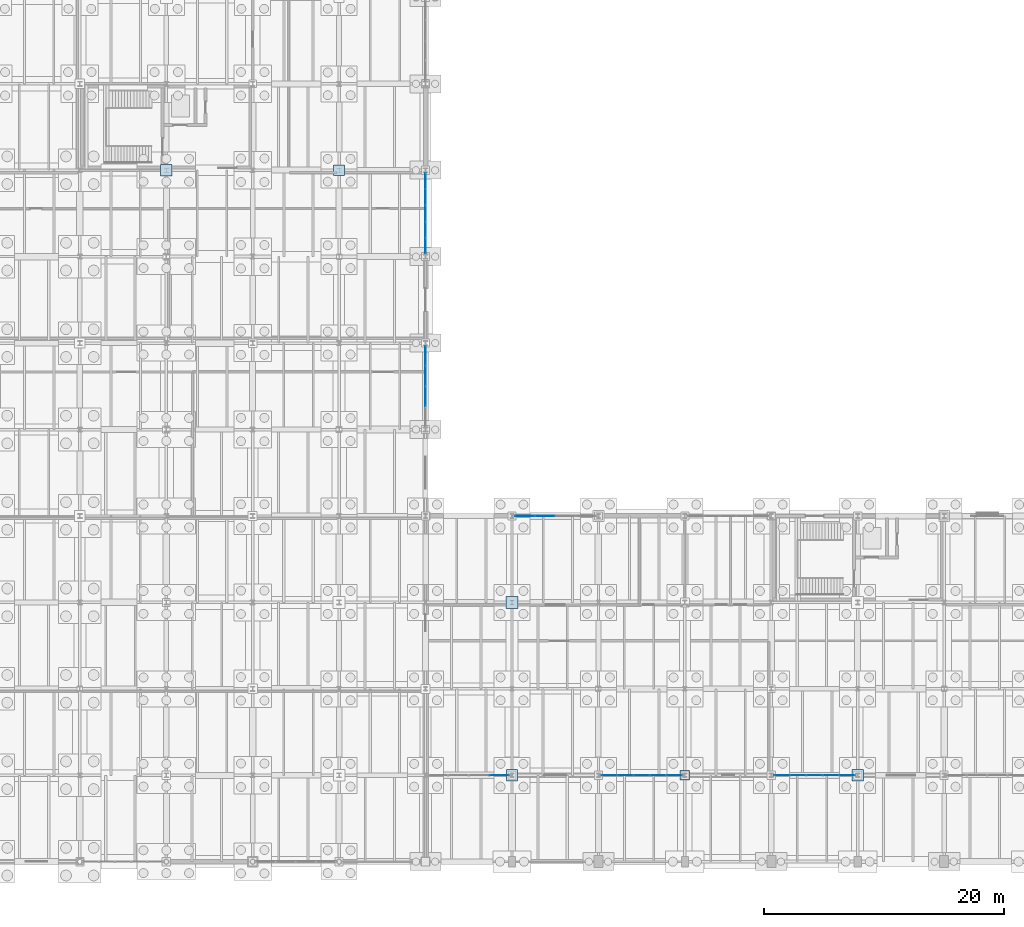
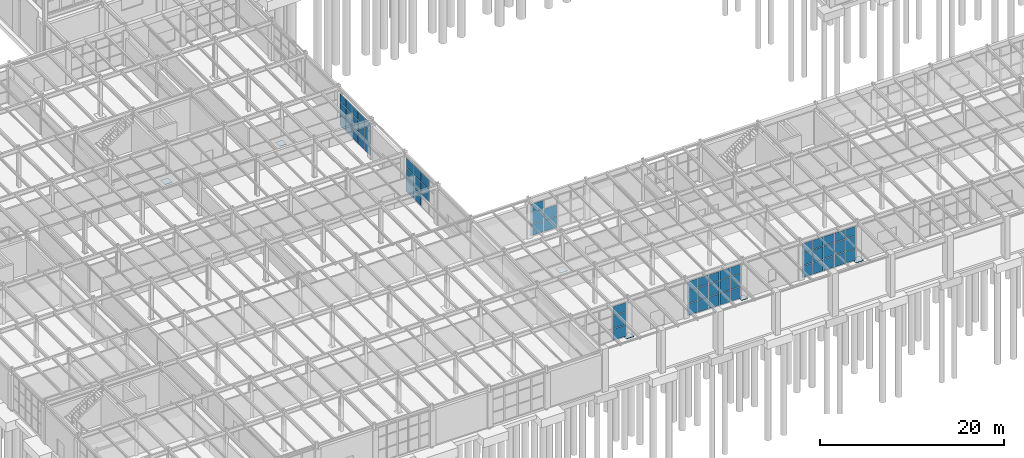
# One storey, part 234 of 293: 67 plates, 6 elements without a shape of their own.
"""IFC4 building model written with IfcOpenShell, lengths in metres."""

import ifcopenshell
import ifcopenshell.guid

model = None  # the IFC model being written
_history = None  # IfcOwnerHistory: only IFC2X3 demands one
_inside = {}  # id of a spatial element -> (the spatial element, [elements in it])
_under = {}  # id of a project, library or spatial element -> (it, [spatial elements below it])
_declared = {}  # id of a project -> (the project, [libraries it declares])
_typed = {}  # id of a type object -> (the type object, [elements of that type])
_made_of = {}  # id of a material, layer set ... -> (it, [elements and type objects made of it])


def new_model(schema):
    """Start an empty IFC model of exactly this schema.

    Asked for "IFC4X3", IfcOpenShell would pick the latest addendum, in which some entities
    have other attributes; the version numbers below select the first issue.
    IFC2X3 requires an IfcOwnerHistory on every rooted entity: one is made here for all.
    """
    global model, _history
    if schema == "IFC4X3":
        model = ifcopenshell.file(schema_version=(4, 3, 0, 0))
    else:
        model = ifcopenshell.file(schema=schema)
    _inside.clear()
    _under.clear()
    _declared.clear()
    _typed.clear()
    _made_of.clear()
    _history = None
    if model.schema == "IFC2X3":
        org = make("IfcOrganization", Name="unknown")
        user = make(
            "IfcPersonAndOrganization",
            ThePerson=make("IfcPerson", FamilyName="unknown"),
            TheOrganization=org,
        )
        app = make(
            "IfcApplication",
            ApplicationDeveloper=org,
            Version="unknown",
            ApplicationFullName="unknown",
            ApplicationIdentifier="unknown",
        )
        _history = make(
            "IfcOwnerHistory",
            OwningUser=user,
            OwningApplication=app,
            ChangeAction="ADDED",
            CreationDate=0,
        )
    return model


def make(cls, **values):
    """One entity of the class cls with the attributes given. An attribute that is None is left unset."""
    return model.create_entity(
        cls, **{name: value for name, value in values.items() if value is not None}
    )


def rooted(cls, **values):
    """An entity with a GlobalId (a new one), such as an element, a storey or a relation."""
    return make(cls, GlobalId=ifcopenshell.guid.new(), OwnerHistory=_history, **values)


def si_unit(unit_type, name, prefix=None):
    """IfcSIUnit, for example si_unit("LENGTHUNIT", "METRE", prefix="MILLI")."""
    return make("IfcSIUnit", UnitType=unit_type, Prefix=prefix, Name=name)


def assignment(units):
    """IfcUnitAssignment: the units of a project."""
    return None if units is None else make("IfcUnitAssignment", Units=units)


def point(xyz):
    """IfcCartesianPoint."""
    return None if xyz is None else make("IfcCartesianPoint", Coordinates=xyz)


def direction(xyz):
    """IfcDirection."""
    return None if xyz is None else make("IfcDirection", DirectionRatios=xyz)


def frame(location, z_axis=None, x_axis=None):
    """IfcAxis2Placement3D, a coordinate frame: its origin and axes. An axis left out is left unset."""
    return make(
        "IfcAxis2Placement3D",
        Location=point(location),
        Axis=direction(z_axis),
        RefDirection=direction(x_axis),
    )


def frame_2d(location, x_axis=None):
    """IfcAxis2Placement2D, a coordinate frame in the plane: its origin and x axis."""
    return make(
        "IfcAxis2Placement2D", Location=point(location), RefDirection=direction(x_axis)
    )


def origin():
    """The frame at (0, 0, 0) with its axes left unset."""
    return frame((0.0, 0.0, 0.0))


def origin_2d():
    """The frame at (0, 0) in the plane with its x axis left unset."""
    return frame_2d((0.0, 0.0))


def place(relative_to, where):
    """IfcLocalPlacement: puts the frame where relative to a parent placement (None: the world)."""
    return make(
        "IfcLocalPlacement", PlacementRelTo=relative_to, RelativePlacement=where
    )


def context(
    kind, dimensions, precision=None, world=None, true_north=None, identifier=None
):
    """IfcGeometricRepresentationContext, for example the 3D "Model" context."""
    return make(
        "IfcGeometricRepresentationContext",
        ContextIdentifier=identifier,
        ContextType=kind,
        CoordinateSpaceDimension=dimensions,
        Precision=precision,
        WorldCoordinateSystem=world,
        TrueNorth=true_north,
    )


def subcontext(parent, identifier, kind, view, scale=None):
    """IfcGeometricRepresentationSubContext, for example "Body" below "Model"."""
    return make(
        "IfcGeometricRepresentationSubContext",
        ContextIdentifier=identifier,
        ContextType=kind,
        ParentContext=parent,
        TargetScale=scale,
        TargetView=view,
    )


def project(units=None, contexts=None):
    """IfcProject with its units and contexts."""
    return rooted(
        "IfcProject",
        Name="project",
        RepresentationContexts=contexts,
        UnitsInContext=assignment(units),
    )


def spatial(cls, under=None, at=None, **own):
    """A site, building, storey or space (cls), placed at a placement, below another one or the project."""
    s = rooted(cls, ObjectPlacement=at, **own)
    if under is not None:
        _under.setdefault(under.id(), (under, []))[1].append(s)
    return s


def profile(cls, at=None, kind="AREA", **sizes):
    """A parametric profile (cls). Its sizes go by their IFC names, for example OverallWidth=200.0."""
    return make(cls, ProfileType=kind, Position=at, **sizes)


def rectangle(**sizes):
    """IfcRectangleProfileDef."""
    return profile("IfcRectangleProfileDef", **sizes)


def extrude(swept, where, along, depth):
    """IfcExtrudedAreaSolid: the profile swept, set in the frame where, extruded along a direction by depth."""
    return make(
        "IfcExtrudedAreaSolid",
        SweptArea=swept,
        Position=where,
        ExtrudedDirection=direction(along),
        Depth=depth,
    )


def shape(context_of_items, identifier, shape_type, items):
    """IfcShapeRepresentation: the items that make up one representation, for example the "Body"."""
    return make(
        "IfcShapeRepresentation",
        ContextOfItems=context_of_items,
        RepresentationIdentifier=identifier,
        RepresentationType=shape_type,
        Items=items,
    )


def material(Name=None, Category=None):
    """IfcMaterial."""
    return make("IfcMaterial", Name=Name, Category=Category)


def layer(
    of_material, thickness, ventilated=None, Name=None, Category=None, Priority=None
):
    """IfcMaterialLayer: one layer of a wall or slab, of a material (None: an air gap)."""
    return make(
        "IfcMaterialLayer",
        Material=of_material,
        LayerThickness=thickness,
        IsVentilated=ventilated,
        Name=Name,
        Category=Category,
        Priority=Priority,
    )


def layer_set(layers, Name=None):
    """IfcMaterialLayerSet."""
    return make("IfcMaterialLayerSet", MaterialLayers=layers, LayerSetName=Name)


def made_of(thing, what):
    """Note that an element or type object is made of a material, layer set ...; save() writes the relation."""
    if what is not None:
        _made_of.setdefault(what.id(), (what, []))[1].append(thing)
    return thing


def type_object(cls, material=None, **own):
    """A type object (cls), such as IfcWallType, which elements share."""
    return made_of(rooted(cls, **own), material)


def element(
    cls,
    number,
    at=None,
    inside=None,
    cuts=None,
    type_object=None,
    material=None,
    context=None,
    identifier="Body",
    shape_type=None,
    held_by="IfcProductDefinitionShape",
    body=None,
    shapes=None,
    **own,
):
    """One element of the class cls, such as IfcWall. Its Tag is "e" and its number.

    at: its placement. inside: the storey or other place that contains it. cuts: it is an
    opening in that element (IfcRelVoidsElement). A single representation is given by context,
    identifier, shape_type and body (its items); several are given by shapes. held_by: the class
    of the entity that holds the representations. save() writes the other relations.
    """
    e = rooted(cls, Tag="e%d" % number, ObjectPlacement=at, **own)
    if body is not None:
        shapes = [shape(context, identifier, shape_type, body)]
    if shapes is not None:
        e.Representation = make(held_by, Representations=shapes)
    if inside is not None:
        _inside.setdefault(inside.id(), (inside, []))[1].append(e)
    if cuts is not None:
        rooted(
            "IfcRelVoidsElement", RelatingBuildingElement=cuts, RelatedOpeningElement=e
        )
    if type_object is not None:
        _typed.setdefault(type_object.id(), (type_object, []))[1].append(e)
    return made_of(e, material)


def aggregate(whole, parts):
    """IfcRelAggregates: a whole, such as a stair, and the parts it consists of."""
    return rooted("IfcRelAggregates", RelatingObject=whole, RelatedObjects=parts)


def save(model, path):
    """Write the relations noted so far, then the file.

    IfcRelAggregates (storeys below a building ...), IfcRelContainedInSpatialStructure (elements
    in a storey), IfcRelDefinesByType, IfcRelAssociatesMaterial and IfcRelDeclares: one each for
    every whole, place, type object, material and project.
    """
    for whole, parts in _under.values():
        aggregate(whole, parts)
    for where, things in _inside.values():
        rooted(
            "IfcRelContainedInSpatialStructure",
            RelatedElements=things,
            RelatingStructure=where,
        )
    for kind, things in _typed.values():
        rooted("IfcRelDefinesByType", RelatedObjects=things, RelatingType=kind)
    for what, things in _made_of.values():
        rooted("IfcRelAssociatesMaterial", RelatedObjects=things, RelatingMaterial=what)
    for by, libraries in _declared.values():
        rooted("IfcRelDeclares", RelatingContext=by, RelatedDefinitions=libraries)
    model.write(path)


model = new_model("IFC4")

# Units and contexts
model_context = context("Model", 3, precision=1e-05, world=origin(), true_north=direction((0.0, 1.0)))
body_context = subcontext(model_context, "Body", "Model", "MODEL_VIEW")
ifc_project = project(units=[si_unit("LENGTHUNIT", "METRE"), si_unit("AREAUNIT", "SQUARE_METRE"), si_unit("VOLUMEUNIT", "CUBIC_METRE"), si_unit("PLANEANGLEUNIT", "RADIAN"), si_unit("MASSUNIT", "GRAM", prefix="KILO")], contexts=[model_context])

# Site, building, storey
site_placement = place(None, origin())
site = spatial("IfcSite", under=ifc_project, at=site_placement, CompositionType="ELEMENT")
building_placement = place(site_placement, origin())
building = spatial("IfcBuilding", under=site, at=building_placement, Name="Kemerveld Promenade Tramway Depot", CompositionType="ELEMENT")
storey_placement = place(building_placement, origin())
storey = spatial("IfcBuildingStorey", under=building, at=storey_placement, Name="L00", CompositionType="ELEMENT", Elevation=0.0)

# Curtain wall, plates
ifc_material_1 = material(Name="Bronze anodised aluminium and solar glass", Category="aluminium")
ifc_layer_1 = layer(ifc_material_1, 0.159912109375)
ifc_layer_set_1 = layer_set([ifc_layer_1], Name="CW-SYS-09")
curtain_wall_type_1 = type_object("IfcCurtainWallType", Name="CW-SYS-09", PredefinedType="USERDEFINED", material=ifc_layer_set_1)
curtain_wall_1_placement = place(storey_placement, origin())
curtain_wall_1 = element("IfcCurtainWall", 1, at=curtain_wall_1_placement, inside=storey, type_object=curtain_wall_type_1, Name="CW-L00-V5E-06", ObjectType="GLAZED_CURTAIN_WALL", PredefinedType="USERDEFINED")
ifc_material_2 = material(Name="Solar-control laminated double glazing", Category="glass")
ifc_layer_2 = layer(ifc_material_2, 0.028076171875)
ifc_layer_set_2 = layer_set([ifc_layer_2], Name="CW-PNL-01")
plate_type_1 = type_object("IfcPlateType", Name="CW-PNL-01", PredefinedType="CURTAIN_PANEL", material=ifc_layer_set_2)
plate_1_placement = place(storey_placement, frame((57.60009765625, 42.12890625, 0.06005859375), z_axis=(0.0, 0.0, 1.0), x_axis=(0.0, -1.0, 0.0)))
plate_1 = element("IfcPlate", 2, at=plate_1_placement, type_object=plate_type_1, Name="CW09 panel 1.1", PredefinedType="CURTAIN_PANEL", context=body_context, shape_type="SweptSolid", body=[
    extrude(rectangle(XDim=1.599365234375, YDim=0.028076171875, at=origin_2d()), origin(), (0.0, 0.0, 1.0), 1.51806640625),
])
plate_2_placement = place(storey_placement, frame((57.60009765625, 42.12890625, 1.63818359375), z_axis=(0.0, 0.0, 1.0), x_axis=(0.0, -1.0, 0.0)))
plate_2 = element("IfcPlate", 3, at=plate_2_placement, type_object=plate_type_1, Name="CW09 panel 1.2", PredefinedType="CURTAIN_PANEL", context=body_context, shape_type="SweptSolid", body=[
    extrude(rectangle(XDim=1.599365234375, YDim=0.028076171875, at=origin_2d()), origin(), (0.0, 0.0, 1.0), 1.638916015625),
])
plate_3_placement = place(storey_placement, frame((57.60009765625, 42.12890625, 3.337158203125), z_axis=(0.0, 0.0, 1.0), x_axis=(0.0, -1.0, 0.0)))
plate_3 = element("IfcPlate", 4, at=plate_3_placement, type_object=plate_type_1, Name="CW09 panel 1.3", PredefinedType="CURTAIN_PANEL", context=body_context, shape_type="SweptSolid", body=[
    extrude(rectangle(XDim=1.599365234375, YDim=0.028076171875, at=origin_2d()), origin(), (0.0, 0.0, 1.0), 1.1962890625),
])
plate_4_placement = place(storey_placement, frame((57.60009765625, 40.448486328125, 0.06005859375), z_axis=(0.0, 0.0, 1.0), x_axis=(0.0, -1.0, 0.0)))
plate_4 = element("IfcPlate", 5, at=plate_4_placement, type_object=plate_type_1, Name="CW09 panel 2.1", PredefinedType="CURTAIN_PANEL", context=body_context, shape_type="SweptSolid", body=[
    extrude(rectangle(XDim=1.6318359375, YDim=0.028076171875, at=origin_2d()), origin(), (0.0, 0.0, 1.0), 1.51806640625),
])
plate_5_placement = place(storey_placement, frame((57.60009765625, 40.448486328125, 1.63818359375), z_axis=(0.0, 0.0, 1.0), x_axis=(0.0, -1.0, 0.0)))
plate_5 = element("IfcPlate", 6, at=plate_5_placement, type_object=plate_type_1, Name="CW09 panel 2.2", PredefinedType="CURTAIN_PANEL", context=body_context, shape_type="SweptSolid", body=[
    extrude(rectangle(XDim=1.6318359375, YDim=0.028076171875, at=origin_2d()), origin(), (0.0, 0.0, 1.0), 1.638916015625),
])
plate_6_placement = place(storey_placement, frame((57.60009765625, 40.448486328125, 3.337158203125), z_axis=(0.0, 0.0, 1.0), x_axis=(0.0, -1.0, 0.0)))
plate_6 = element("IfcPlate", 7, at=plate_6_placement, type_object=plate_type_1, Name="CW09 panel 2.3", PredefinedType="CURTAIN_PANEL", context=body_context, shape_type="SweptSolid", body=[
    extrude(rectangle(XDim=1.6318359375, YDim=0.028076171875, at=origin_2d()), origin(), (0.0, 0.0, 1.0), 1.1962890625),
])
plate_7_placement = place(storey_placement, frame((57.60009765625, 38.75146484375, 1.63818359375), z_axis=(0.0, 0.0, 1.0), x_axis=(0.0, -1.0, 0.0)))
plate_7 = element("IfcPlate", 8, at=plate_7_placement, type_object=plate_type_1, Name="CW09 panel 3.2", PredefinedType="CURTAIN_PANEL", context=body_context, shape_type="SweptSolid", body=[
    extrude(rectangle(XDim=1.6318359375, YDim=0.028076171875, at=origin_2d()), origin(), (0.0, 0.0, 1.0), 1.638916015625),
])
plate_8_placement = place(storey_placement, frame((57.60009765625, 38.75146484375, 3.337158203125), z_axis=(0.0, 0.0, 1.0), x_axis=(0.0, -1.0, 0.0)))
plate_8 = element("IfcPlate", 9, at=plate_8_placement, type_object=plate_type_1, Name="CW09 panel 3.3", PredefinedType="CURTAIN_PANEL", context=body_context, shape_type="SweptSolid", body=[
    extrude(rectangle(XDim=1.6318359375, YDim=0.028076171875, at=origin_2d()), origin(), (0.0, 0.0, 1.0), 1.1962890625),
])
aggregate(curtain_wall_1, [plate_1, plate_2, plate_3, plate_4, plate_5, plate_6, plate_7, plate_8])

ifc_layer_3 = layer(ifc_material_1, 0.159912109375)
ifc_layer_set_3 = layer_set([ifc_layer_3], Name="CW-SYS-03")
curtain_wall_type_2 = type_object("IfcCurtainWallType", Name="CW-SYS-03", PredefinedType="USERDEFINED", material=ifc_layer_set_3)
curtain_wall_2_placement = place(storey_placement, origin())
curtain_wall_2 = element("IfcCurtainWall", 10, at=curtain_wall_2_placement, inside=storey, type_object=curtain_wall_type_2, Name="CW-L00-V4S-14", ObjectType="GLAZED_CURTAIN_WALL", PredefinedType="USERDEFINED")
plate_9_placement = place(storey_placement, frame((63.736572265625, 7.199951171875, 0.06005859375), z_axis=(0.0, 0.0, 1.0), x_axis=(-1.0, 0.0, 0.0)))
plate_9 = element("IfcPlate", 11, at=plate_9_placement, type_object=plate_type_1, Name="CW03 panel 1.1", PredefinedType="CURTAIN_PANEL", context=body_context, shape_type="SweptSolid", body=[
    extrude(rectangle(XDim=1.604248046875, YDim=0.028076171875, at=origin_2d()), origin(), (0.0, 0.0, 1.0), 1.51806640625),
])
plate_10_placement = place(storey_placement, frame((63.736572265625, 7.199951171875, 1.63818359375), z_axis=(0.0, 0.0, 1.0), x_axis=(-1.0, 0.0, 0.0)))
plate_10 = element("IfcPlate", 12, at=plate_10_placement, type_object=plate_type_1, Name="CW03 panel 1.2", PredefinedType="CURTAIN_PANEL", context=body_context, shape_type="SweptSolid", body=[
    extrude(rectangle(XDim=1.604248046875, YDim=0.028076171875, at=origin_2d()), origin(), (0.0, 0.0, 1.0), 1.638916015625),
])
plate_11_placement = place(storey_placement, frame((63.736572265625, 7.199951171875, 3.337158203125), z_axis=(0.0, 0.0, 1.0), x_axis=(-1.0, 0.0, 0.0)))
plate_11 = element("IfcPlate", 13, at=plate_11_placement, type_object=plate_type_1, Name="CW03 panel 1.3", PredefinedType="CURTAIN_PANEL", context=body_context, shape_type="SweptSolid", body=[
    extrude(rectangle(XDim=1.604248046875, YDim=0.028076171875, at=origin_2d()), origin(), (0.0, 0.0, 1.0), 1.1962890625),
])
aggregate(curtain_wall_2, [plate_9, plate_10, plate_11])

ifc_layer_4 = layer(ifc_material_1, 0.159912109375)
ifc_layer_set_4 = layer_set([ifc_layer_4], Name="CW-SYS-13")
curtain_wall_type_3 = type_object("IfcCurtainWallType", Name="CW-SYS-13", PredefinedType="USERDEFINED", material=ifc_layer_set_4)
curtain_wall_3_placement = place(storey_placement, origin())
curtain_wall_3 = element("IfcCurtainWall", 14, at=curtain_wall_3_placement, inside=storey, type_object=curtain_wall_type_3, Name="CW-L00-V4S-10", ObjectType="GLAZED_CURTAIN_WALL", PredefinedType="USERDEFINED")
ifc_layer_5 = layer(ifc_material_2, 0.031982421875)
ifc_layer_set_5 = layer_set([ifc_layer_5], Name="CW-PNL-05")
plate_type_2 = type_object("IfcPlateType", Name="CW-PNL-05", PredefinedType="CURTAIN_PANEL", material=ifc_layer_set_5)
plate_12_placement = place(storey_placement, frame((92.706787109375, 7.199951171875, 0.06005859375), z_axis=(0.0, 0.0, 1.0), x_axis=(-1.0, 0.0, 0.0)))
plate_12 = element("IfcPlate", 15, at=plate_12_placement, type_object=plate_type_2, Name="CW13 panel 1.1", PredefinedType="CURTAIN_PANEL", context=body_context, shape_type="SweptSolid", body=[
    extrude(rectangle(XDim=1.263916015625, YDim=0.031982421875, at=origin_2d()), origin(), (0.0, 0.0, 1.0), 1.52587890625),
])
plate_13_placement = place(storey_placement, frame((92.706787109375, 7.199951171875, 1.64599609375), z_axis=(0.0, 0.0, 1.0), x_axis=(-1.0, 0.0, 0.0)))
plate_13 = element("IfcPlate", 16, at=plate_13_placement, type_object=plate_type_2, Name="CW13 panel 1.2", PredefinedType="CURTAIN_PANEL", context=body_context, shape_type="SweptSolid", body=[
    extrude(rectangle(XDim=1.263916015625, YDim=0.031982421875, at=origin_2d()), origin(), (0.0, 0.0, 1.0), 1.64892578125),
])
plate_14_placement = place(storey_placement, frame((92.706787109375, 7.199951171875, 3.35498046875), z_axis=(0.0, 0.0, 1.0), x_axis=(-1.0, 0.0, 0.0)))
plate_14 = element("IfcPlate", 17, at=plate_14_placement, type_object=plate_type_2, Name="CW13 panel 1.3", PredefinedType="CURTAIN_PANEL", context=body_context, shape_type="SweptSolid", body=[
    extrude(rectangle(XDim=1.263916015625, YDim=0.031982421875, at=origin_2d()), origin(), (0.0, 0.0, 1.0), 1.203369140625),
])
plate_15_placement = place(storey_placement, frame((91.361572265625, 7.199951171875, 0.06005859375), z_axis=(0.0, 0.0, 1.0), x_axis=(-1.0, 0.0, 0.0)))
plate_15 = element("IfcPlate", 18, at=plate_15_placement, type_object=plate_type_2, Name="CW13 panel 2.1", PredefinedType="CURTAIN_PANEL", context=body_context, shape_type="SweptSolid", body=[
    extrude(rectangle(XDim=1.29638671875, YDim=0.031982421875, at=origin_2d()), origin(), (0.0, 0.0, 1.0), 1.52587890625),
])
plate_16_placement = place(storey_placement, frame((91.361572265625, 7.199951171875, 1.64599609375), z_axis=(0.0, 0.0, 1.0), x_axis=(-1.0, 0.0, 0.0)))
plate_16 = element("IfcPlate", 19, at=plate_16_placement, type_object=plate_type_2, Name="CW13 panel 2.2", PredefinedType="CURTAIN_PANEL", context=body_context, shape_type="SweptSolid", body=[
    extrude(rectangle(XDim=1.29638671875, YDim=0.031982421875, at=origin_2d()), origin(), (0.0, 0.0, 1.0), 1.64892578125),
])
plate_17_placement = place(storey_placement, frame((91.361572265625, 7.199951171875, 3.35498046875), z_axis=(0.0, 0.0, 1.0), x_axis=(-1.0, 0.0, 0.0)))
plate_17 = element("IfcPlate", 20, at=plate_17_placement, type_object=plate_type_2, Name="CW13 panel 2.3", PredefinedType="CURTAIN_PANEL", context=body_context, shape_type="SweptSolid", body=[
    extrude(rectangle(XDim=1.29638671875, YDim=0.031982421875, at=origin_2d()), origin(), (0.0, 0.0, 1.0), 1.203369140625),
])
plate_18_placement = place(storey_placement, frame((90.0, 7.199951171875, 0.06005859375), z_axis=(0.0, 0.0, 1.0), x_axis=(-1.0, 0.0, 0.0)))
plate_18 = element("IfcPlate", 21, at=plate_18_placement, type_object=plate_type_2, Name="CW13 panel 3.1", PredefinedType="CURTAIN_PANEL", context=body_context, shape_type="SweptSolid", body=[
    extrude(rectangle(XDim=1.29638671875, YDim=0.031982421875, at=origin_2d()), origin(), (0.0, 0.0, 1.0), 1.52587890625),
])
plate_19_placement = place(storey_placement, frame((90.0, 7.199951171875, 1.64599609375), z_axis=(0.0, 0.0, 1.0), x_axis=(-1.0, 0.0, 0.0)))
plate_19 = element("IfcPlate", 22, at=plate_19_placement, type_object=plate_type_2, Name="CW13 panel 3.2", PredefinedType="CURTAIN_PANEL", context=body_context, shape_type="SweptSolid", body=[
    extrude(rectangle(XDim=1.29638671875, YDim=0.031982421875, at=origin_2d()), origin(), (0.0, 0.0, 1.0), 1.64892578125),
])
plate_20_placement = place(storey_placement, frame((90.0, 7.199951171875, 3.35498046875), z_axis=(0.0, 0.0, 1.0), x_axis=(-1.0, 0.0, 0.0)))
plate_20 = element("IfcPlate", 23, at=plate_20_placement, type_object=plate_type_2, Name="CW13 panel 3.3", PredefinedType="CURTAIN_PANEL", context=body_context, shape_type="SweptSolid", body=[
    extrude(rectangle(XDim=1.29638671875, YDim=0.031982421875, at=origin_2d()), origin(), (0.0, 0.0, 1.0), 1.203369140625),
])
plate_21_placement = place(storey_placement, frame((88.638427734375, 7.199951171875, 0.06005859375), z_axis=(0.0, 0.0, 1.0), x_axis=(-1.0, 0.0, 0.0)))
plate_21 = element("IfcPlate", 24, at=plate_21_placement, type_object=plate_type_2, Name="CW13 panel 4.1", PredefinedType="CURTAIN_PANEL", context=body_context, shape_type="SweptSolid", body=[
    extrude(rectangle(XDim=1.29638671875, YDim=0.031982421875, at=origin_2d()), origin(), (0.0, 0.0, 1.0), 1.52587890625),
])
plate_22_placement = place(storey_placement, frame((88.638427734375, 7.199951171875, 1.64599609375), z_axis=(0.0, 0.0, 1.0), x_axis=(-1.0, 0.0, 0.0)))
plate_22 = element("IfcPlate", 25, at=plate_22_placement, type_object=plate_type_2, Name="CW13 panel 4.2", PredefinedType="CURTAIN_PANEL", context=body_context, shape_type="SweptSolid", body=[
    extrude(rectangle(XDim=1.29638671875, YDim=0.031982421875, at=origin_2d()), origin(), (0.0, 0.0, 1.0), 1.64892578125),
])
plate_23_placement = place(storey_placement, frame((88.638427734375, 7.199951171875, 3.35498046875), z_axis=(0.0, 0.0, 1.0), x_axis=(-1.0, 0.0, 0.0)))
plate_23 = element("IfcPlate", 26, at=plate_23_placement, type_object=plate_type_2, Name="CW13 panel 4.3", PredefinedType="CURTAIN_PANEL", context=body_context, shape_type="SweptSolid", body=[
    extrude(rectangle(XDim=1.29638671875, YDim=0.031982421875, at=origin_2d()), origin(), (0.0, 0.0, 1.0), 1.203369140625),
])
plate_24_placement = place(storey_placement, frame((87.293212890625, 7.199951171875, 0.06005859375), z_axis=(0.0, 0.0, 1.0), x_axis=(-1.0, 0.0, 0.0)))
plate_24 = element("IfcPlate", 27, at=plate_24_placement, type_object=plate_type_2, Name="CW13 panel 5.1", PredefinedType="CURTAIN_PANEL", context=body_context, shape_type="SweptSolid", body=[
    extrude(rectangle(XDim=1.263916015625, YDim=0.031982421875, at=origin_2d()), origin(), (0.0, 0.0, 1.0), 1.52587890625),
])
plate_25_placement = place(storey_placement, frame((87.293212890625, 7.199951171875, 1.64599609375), z_axis=(0.0, 0.0, 1.0), x_axis=(-1.0, 0.0, 0.0)))
plate_25 = element("IfcPlate", 28, at=plate_25_placement, type_object=plate_type_2, Name="CW13 panel 5.2", PredefinedType="CURTAIN_PANEL", context=body_context, shape_type="SweptSolid", body=[
    extrude(rectangle(XDim=1.263916015625, YDim=0.031982421875, at=origin_2d()), origin(), (0.0, 0.0, 1.0), 1.64892578125),
])
plate_26_placement = place(storey_placement, frame((87.293212890625, 7.199951171875, 3.35498046875), z_axis=(0.0, 0.0, 1.0), x_axis=(-1.0, 0.0, 0.0)))
plate_26 = element("IfcPlate", 29, at=plate_26_placement, type_object=plate_type_2, Name="CW13 panel 5.3", PredefinedType="CURTAIN_PANEL", context=body_context, shape_type="SweptSolid", body=[
    extrude(rectangle(XDim=1.263916015625, YDim=0.031982421875, at=origin_2d()), origin(), (0.0, 0.0, 1.0), 1.203369140625),
])
aggregate(curtain_wall_3, [plate_12, plate_13, plate_14, plate_15, plate_16, plate_17, plate_18, plate_19, plate_20, plate_21, plate_22, plate_23, plate_24, plate_25, plate_26])

ifc_layer_6 = layer(ifc_material_1, 0.159912109375)
ifc_layer_set_6 = layer_set([ifc_layer_6], Name="CW-SYS-05")
curtain_wall_type_4 = type_object("IfcCurtainWallType", Name="CW-SYS-05", PredefinedType="USERDEFINED", material=ifc_layer_set_6)
curtain_wall_4_placement = place(storey_placement, origin())
curtain_wall_4 = element("IfcCurtainWall", 30, at=curtain_wall_4_placement, inside=storey, type_object=curtain_wall_type_4, Name="CW-L00-V4N-02", ObjectType="GLAZED_CURTAIN_WALL", PredefinedType="USERDEFINED")
plate_27_placement = place(storey_placement, frame((65.863525390625, 28.800048828125, 0.06005859375), z_axis=(0.0, 0.0, 1.0), x_axis=(1.0, 0.0, 0.0)))
plate_27 = element("IfcPlate", 31, at=plate_27_placement, type_object=plate_type_2, Name="CW05 panel 1.1", PredefinedType="CURTAIN_PANEL", context=body_context, shape_type="SweptSolid", body=[
    extrude(rectangle(XDim=1.604248046875, YDim=0.031982421875, at=origin_2d()), origin(), (0.0, 0.0, 1.0), 1.416015625),
])
plate_28_placement = place(storey_placement, frame((65.863525390625, 28.800048828125, 1.5361328125), z_axis=(0.0, 0.0, 1.0), x_axis=(1.0, 0.0, 0.0)))
plate_28 = element("IfcPlate", 32, at=plate_28_placement, type_object=plate_type_2, Name="CW05 panel 1.2", PredefinedType="CURTAIN_PANEL", context=body_context, shape_type="SweptSolid", body=[
    extrude(rectangle(XDim=1.604248046875, YDim=0.031982421875, at=origin_2d()), origin(), (0.0, 0.0, 1.0), 1.532958984375),
])
plate_29_placement = place(storey_placement, frame((65.863525390625, 28.800048828125, 3.12890625), z_axis=(0.0, 0.0, 1.0), x_axis=(1.0, 0.0, 0.0)))
plate_29 = element("IfcPlate", 33, at=plate_29_placement, type_object=plate_type_2, Name="CW05 panel 1.3", PredefinedType="CURTAIN_PANEL", context=body_context, shape_type="SweptSolid", body=[
    extrude(rectangle(XDim=1.604248046875, YDim=0.031982421875, at=origin_2d()), origin(), (0.0, 0.0, 1.0), 1.115234375),
])
plate_30_placement = place(storey_placement, frame((67.549072265625, 28.800048828125, 0.06005859375), z_axis=(0.0, 0.0, 1.0), x_axis=(1.0, 0.0, 0.0)))
plate_30 = element("IfcPlate", 34, at=plate_30_placement, type_object=plate_type_2, Name="CW05 panel 2.1", PredefinedType="CURTAIN_PANEL", context=body_context, shape_type="SweptSolid", body=[
    extrude(rectangle(XDim=1.636962890625, YDim=0.031982421875, at=origin_2d()), origin(), (0.0, 0.0, 1.0), 1.416015625),
])
plate_31_placement = place(storey_placement, frame((67.549072265625, 28.800048828125, 1.5361328125), z_axis=(0.0, 0.0, 1.0), x_axis=(1.0, 0.0, 0.0)))
plate_31 = element("IfcPlate", 35, at=plate_31_placement, type_object=plate_type_2, Name="CW05 panel 2.2", PredefinedType="CURTAIN_PANEL", context=body_context, shape_type="SweptSolid", body=[
    extrude(rectangle(XDim=1.636962890625, YDim=0.031982421875, at=origin_2d()), origin(), (0.0, 0.0, 1.0), 1.532958984375),
])
aggregate(curtain_wall_4, [plate_27, plate_28, plate_29, plate_30, plate_31])

ifc_layer_7 = layer(ifc_material_1, 0.159912109375)
ifc_layer_set_7 = layer_set([ifc_layer_7], Name="CW-SYS-07")
curtain_wall_type_5 = type_object("IfcCurtainWallType", Name="CW-SYS-07", PredefinedType="USERDEFINED", material=ifc_layer_set_7)
curtain_wall_5_placement = place(storey_placement, origin())
curtain_wall_5 = element("IfcCurtainWall", 36, at=curtain_wall_5_placement, inside=storey, type_object=curtain_wall_type_5, Name="CW-L00-V5E-04", ObjectType="GLAZED_CURTAIN_WALL", PredefinedType="USERDEFINED")
ifc_layer_8 = layer(ifc_material_2, 0.030029296875)
ifc_layer_set_8 = layer_set([ifc_layer_8], Name="CW-PNL-07")
plate_type_3 = type_object("IfcPlateType", Name="CW-PNL-07", PredefinedType="CURTAIN_PANEL", material=ifc_layer_set_8)
plate_32_placement = place(storey_placement, frame((57.60009765625, 56.69873046875, 0.06005859375), z_axis=(0.0, 0.0, 1.0), x_axis=(0.0, -1.0, 0.0)))
plate_32 = element("IfcPlate", 37, at=plate_32_placement, type_object=plate_type_3, Name="CW07 panel 1.1", PredefinedType="CURTAIN_PANEL", context=body_context, shape_type="SweptSolid", body=[
    extrude(rectangle(XDim=1.260009765625, YDim=0.030029296875, at=origin_2d()), origin(), (0.0, 0.0, 1.0), 1.43896484375),
])
plate_33_placement = place(storey_placement, frame((57.60009765625, 56.69873046875, 1.55908203125), z_axis=(0.0, 0.0, 1.0), x_axis=(0.0, -1.0, 0.0)))
plate_33 = element("IfcPlate", 38, at=plate_33_placement, type_object=plate_type_3, Name="CW07 panel 1.2", PredefinedType="CURTAIN_PANEL", context=body_context, shape_type="SweptSolid", body=[
    extrude(rectangle(XDim=1.260009765625, YDim=0.030029296875, at=origin_2d()), origin(), (0.0, 0.0, 1.0), 1.555908203125),
])
plate_34_placement = place(storey_placement, frame((57.60009765625, 56.69873046875, 3.175048828125), z_axis=(0.0, 0.0, 1.0), x_axis=(0.0, -1.0, 0.0)))
plate_34 = element("IfcPlate", 39, at=plate_34_placement, type_object=plate_type_3, Name="CW07 panel 1.3", PredefinedType="CURTAIN_PANEL", context=body_context, shape_type="SweptSolid", body=[
    extrude(rectangle(XDim=1.260009765625, YDim=0.030029296875, at=origin_2d()), origin(), (0.0, 0.0, 1.0), 1.1328125),
])
plate_35_placement = place(storey_placement, frame((57.60009765625, 55.357421875, 0.06005859375), z_axis=(0.0, 0.0, 1.0), x_axis=(0.0, -1.0, 0.0)))
plate_35 = element("IfcPlate", 40, at=plate_35_placement, type_object=plate_type_3, Name="CW07 panel 2.1", PredefinedType="CURTAIN_PANEL", context=body_context, shape_type="SweptSolid", body=[
    extrude(rectangle(XDim=1.29248046875, YDim=0.030029296875, at=origin_2d()), origin(), (0.0, 0.0, 1.0), 1.43896484375),
])
plate_36_placement = place(storey_placement, frame((57.60009765625, 55.357421875, 1.55908203125), z_axis=(0.0, 0.0, 1.0), x_axis=(0.0, -1.0, 0.0)))
plate_36 = element("IfcPlate", 41, at=plate_36_placement, type_object=plate_type_3, Name="CW07 panel 2.2", PredefinedType="CURTAIN_PANEL", context=body_context, shape_type="SweptSolid", body=[
    extrude(rectangle(XDim=1.29248046875, YDim=0.030029296875, at=origin_2d()), origin(), (0.0, 0.0, 1.0), 1.555908203125),
])
plate_37_placement = place(storey_placement, frame((57.60009765625, 55.357421875, 3.175048828125), z_axis=(0.0, 0.0, 1.0), x_axis=(0.0, -1.0, 0.0)))
plate_37 = element("IfcPlate", 42, at=plate_37_placement, type_object=plate_type_3, Name="CW07 panel 2.3", PredefinedType="CURTAIN_PANEL", context=body_context, shape_type="SweptSolid", body=[
    extrude(rectangle(XDim=1.29248046875, YDim=0.030029296875, at=origin_2d()), origin(), (0.0, 0.0, 1.0), 1.1328125),
])
plate_38_placement = place(storey_placement, frame((57.60009765625, 54.0, 0.06005859375), z_axis=(0.0, 0.0, 1.0), x_axis=(0.0, -1.0, 0.0)))
plate_38 = element("IfcPlate", 43, at=plate_38_placement, type_object=plate_type_3, Name="CW07 panel 3.1", PredefinedType="CURTAIN_PANEL", context=body_context, shape_type="SweptSolid", body=[
    extrude(rectangle(XDim=1.29248046875, YDim=0.030029296875, at=origin_2d()), origin(), (0.0, 0.0, 1.0), 1.43896484375),
])
plate_39_placement = place(storey_placement, frame((57.60009765625, 54.0, 1.55908203125), z_axis=(0.0, 0.0, 1.0), x_axis=(0.0, -1.0, 0.0)))
plate_39 = element("IfcPlate", 44, at=plate_39_placement, type_object=plate_type_3, Name="CW07 panel 3.2", PredefinedType="CURTAIN_PANEL", context=body_context, shape_type="SweptSolid", body=[
    extrude(rectangle(XDim=1.29248046875, YDim=0.030029296875, at=origin_2d()), origin(), (0.0, 0.0, 1.0), 1.555908203125),
])
plate_40_placement = place(storey_placement, frame((57.60009765625, 54.0, 3.175048828125), z_axis=(0.0, 0.0, 1.0), x_axis=(0.0, -1.0, 0.0)))
plate_40 = element("IfcPlate", 45, at=plate_40_placement, type_object=plate_type_3, Name="CW07 panel 3.3", PredefinedType="CURTAIN_PANEL", context=body_context, shape_type="SweptSolid", body=[
    extrude(rectangle(XDim=1.29248046875, YDim=0.030029296875, at=origin_2d()), origin(), (0.0, 0.0, 1.0), 1.1328125),
])
plate_41_placement = place(storey_placement, frame((57.60009765625, 52.642578125, 0.06005859375), z_axis=(0.0, 0.0, 1.0), x_axis=(0.0, -1.0, 0.0)))
plate_41 = element("IfcPlate", 46, at=plate_41_placement, type_object=plate_type_3, Name="CW07 panel 4.1", PredefinedType="CURTAIN_PANEL", context=body_context, shape_type="SweptSolid", body=[
    extrude(rectangle(XDim=1.29248046875, YDim=0.030029296875, at=origin_2d()), origin(), (0.0, 0.0, 1.0), 1.43896484375),
])
plate_42_placement = place(storey_placement, frame((57.60009765625, 52.642578125, 1.55908203125), z_axis=(0.0, 0.0, 1.0), x_axis=(0.0, -1.0, 0.0)))
plate_42 = element("IfcPlate", 47, at=plate_42_placement, type_object=plate_type_3, Name="CW07 panel 4.2", PredefinedType="CURTAIN_PANEL", context=body_context, shape_type="SweptSolid", body=[
    extrude(rectangle(XDim=1.29248046875, YDim=0.030029296875, at=origin_2d()), origin(), (0.0, 0.0, 1.0), 1.555908203125),
])
plate_43_placement = place(storey_placement, frame((57.60009765625, 52.642578125, 3.175048828125), z_axis=(0.0, 0.0, 1.0), x_axis=(0.0, -1.0, 0.0)))
plate_43 = element("IfcPlate", 48, at=plate_43_placement, type_object=plate_type_3, Name="CW07 panel 4.3", PredefinedType="CURTAIN_PANEL", context=body_context, shape_type="SweptSolid", body=[
    extrude(rectangle(XDim=1.29248046875, YDim=0.030029296875, at=origin_2d()), origin(), (0.0, 0.0, 1.0), 1.1328125),
])
plate_44_placement = place(storey_placement, frame((57.60009765625, 51.30126953125, 0.06005859375), z_axis=(0.0, 0.0, 1.0), x_axis=(0.0, -1.0, 0.0)))
plate_44 = element("IfcPlate", 49, at=plate_44_placement, type_object=plate_type_3, Name="CW07 panel 5.1", PredefinedType="CURTAIN_PANEL", context=body_context, shape_type="SweptSolid", body=[
    extrude(rectangle(XDim=1.260009765625, YDim=0.030029296875, at=origin_2d()), origin(), (0.0, 0.0, 1.0), 1.43896484375),
])
plate_45_placement = place(storey_placement, frame((57.60009765625, 51.30126953125, 1.55908203125), z_axis=(0.0, 0.0, 1.0), x_axis=(0.0, -1.0, 0.0)))
plate_45 = element("IfcPlate", 50, at=plate_45_placement, type_object=plate_type_3, Name="CW07 panel 5.2", PredefinedType="CURTAIN_PANEL", context=body_context, shape_type="SweptSolid", body=[
    extrude(rectangle(XDim=1.260009765625, YDim=0.030029296875, at=origin_2d()), origin(), (0.0, 0.0, 1.0), 1.555908203125),
])
plate_46_placement = place(storey_placement, frame((57.60009765625, 51.30126953125, 3.175048828125), z_axis=(0.0, 0.0, 1.0), x_axis=(0.0, -1.0, 0.0)))
plate_46 = element("IfcPlate", 51, at=plate_46_placement, type_object=plate_type_3, Name="CW07 panel 5.3", PredefinedType="CURTAIN_PANEL", context=body_context, shape_type="SweptSolid", body=[
    extrude(rectangle(XDim=1.260009765625, YDim=0.030029296875, at=origin_2d()), origin(), (0.0, 0.0, 1.0), 1.1328125),
])
aggregate(curtain_wall_5, [plate_32, plate_33, plate_34, plate_35, plate_36, plate_37, plate_38, plate_39, plate_40, plate_41, plate_42, plate_43, plate_44, plate_45, plate_46])

ifc_layer_9 = layer(ifc_material_1, 0.159912109375)
ifc_layer_set_9 = layer_set([ifc_layer_9], Name="CW-SYS-01")
curtain_wall_type_6 = type_object("IfcCurtainWallType", Name="CW-SYS-01", PredefinedType="USERDEFINED", material=ifc_layer_set_9)
curtain_wall_6_placement = place(storey_placement, origin())
curtain_wall_6 = element("IfcCurtainWall", 52, at=curtain_wall_6_placement, inside=storey, type_object=curtain_wall_type_6, Name="CW-L00-V4S-12", ObjectType="GLAZED_CURTAIN_WALL", PredefinedType="USERDEFINED")
plate_47_placement = place(storey_placement, frame((78.306640625, 7.199951171875, 0.06005859375), z_axis=(0.0, 0.0, 1.0), x_axis=(-1.0, 0.0, 0.0)))
plate_47 = element("IfcPlate", 53, at=plate_47_placement, type_object=plate_type_3, Name="CW01 panel 1.1", PredefinedType="CURTAIN_PANEL", context=body_context, shape_type="SweptSolid", body=[
    extrude(rectangle(XDim=1.263916015625, YDim=0.030029296875, at=origin_2d()), origin(), (0.0, 0.0, 1.0), 1.52587890625),
])
plate_48_placement = place(storey_placement, frame((78.306640625, 7.199951171875, 1.64599609375), z_axis=(0.0, 0.0, 1.0), x_axis=(-1.0, 0.0, 0.0)))
plate_48 = element("IfcPlate", 54, at=plate_48_placement, type_object=plate_type_3, Name="CW01 panel 1.2", PredefinedType="CURTAIN_PANEL", context=body_context, shape_type="SweptSolid", body=[
    extrude(rectangle(XDim=1.263916015625, YDim=0.030029296875, at=origin_2d()), origin(), (0.0, 0.0, 1.0), 1.64892578125),
])
plate_49_placement = place(storey_placement, frame((78.306640625, 7.199951171875, 3.35498046875), z_axis=(0.0, 0.0, 1.0), x_axis=(-1.0, 0.0, 0.0)))
plate_49 = element("IfcPlate", 55, at=plate_49_placement, type_object=plate_type_3, Name="CW01 panel 1.3", PredefinedType="CURTAIN_PANEL", context=body_context, shape_type="SweptSolid", body=[
    extrude(rectangle(XDim=1.263916015625, YDim=0.030029296875, at=origin_2d()), origin(), (0.0, 0.0, 1.0), 1.203369140625),
])
plate_50_placement = place(storey_placement, frame((76.96142578125, 7.199951171875, 0.06005859375), z_axis=(0.0, 0.0, 1.0), x_axis=(-1.0, 0.0, 0.0)))
plate_50 = element("IfcPlate", 56, at=plate_50_placement, type_object=plate_type_3, Name="CW01 panel 2.1", PredefinedType="CURTAIN_PANEL", context=body_context, shape_type="SweptSolid", body=[
    extrude(rectangle(XDim=1.29638671875, YDim=0.030029296875, at=origin_2d()), origin(), (0.0, 0.0, 1.0), 1.52587890625),
])
plate_51_placement = place(storey_placement, frame((76.96142578125, 7.199951171875, 1.64599609375), z_axis=(0.0, 0.0, 1.0), x_axis=(-1.0, 0.0, 0.0)))
plate_51 = element("IfcPlate", 57, at=plate_51_placement, type_object=plate_type_3, Name="CW01 panel 2.2", PredefinedType="CURTAIN_PANEL", context=body_context, shape_type="SweptSolid", body=[
    extrude(rectangle(XDim=1.29638671875, YDim=0.030029296875, at=origin_2d()), origin(), (0.0, 0.0, 1.0), 1.64892578125),
])
plate_52_placement = place(storey_placement, frame((76.96142578125, 7.199951171875, 3.35498046875), z_axis=(0.0, 0.0, 1.0), x_axis=(-1.0, 0.0, 0.0)))
plate_52 = element("IfcPlate", 58, at=plate_52_placement, type_object=plate_type_3, Name="CW01 panel 2.3", PredefinedType="CURTAIN_PANEL", context=body_context, shape_type="SweptSolid", body=[
    extrude(rectangle(XDim=1.29638671875, YDim=0.030029296875, at=origin_2d()), origin(), (0.0, 0.0, 1.0), 1.203369140625),
])
plate_53_placement = place(storey_placement, frame((75.60009765625, 7.199951171875, 0.06005859375), z_axis=(0.0, 0.0, 1.0), x_axis=(-1.0, 0.0, 0.0)))
plate_53 = element("IfcPlate", 59, at=plate_53_placement, type_object=plate_type_3, Name="CW01 panel 3.1", PredefinedType="CURTAIN_PANEL", context=body_context, shape_type="SweptSolid", body=[
    extrude(rectangle(XDim=1.29638671875, YDim=0.030029296875, at=origin_2d()), origin(), (0.0, 0.0, 1.0), 1.52587890625),
])
plate_54_placement = place(storey_placement, frame((75.60009765625, 7.199951171875, 1.64599609375), z_axis=(0.0, 0.0, 1.0), x_axis=(-1.0, 0.0, 0.0)))
plate_54 = element("IfcPlate", 60, at=plate_54_placement, type_object=plate_type_3, Name="CW01 panel 3.2", PredefinedType="CURTAIN_PANEL", context=body_context, shape_type="SweptSolid", body=[
    extrude(rectangle(XDim=1.29638671875, YDim=0.030029296875, at=origin_2d()), origin(), (0.0, 0.0, 1.0), 1.64892578125),
])
plate_55_placement = place(storey_placement, frame((75.60009765625, 7.199951171875, 3.35498046875), z_axis=(0.0, 0.0, 1.0), x_axis=(-1.0, 0.0, 0.0)))
plate_55 = element("IfcPlate", 61, at=plate_55_placement, type_object=plate_type_3, Name="CW01 panel 3.3", PredefinedType="CURTAIN_PANEL", context=body_context, shape_type="SweptSolid", body=[
    extrude(rectangle(XDim=1.29638671875, YDim=0.030029296875, at=origin_2d()), origin(), (0.0, 0.0, 1.0), 1.203369140625),
])
plate_56_placement = place(storey_placement, frame((74.238525390625, 7.199951171875, 0.06005859375), z_axis=(0.0, 0.0, 1.0), x_axis=(-1.0, 0.0, 0.0)))
plate_56 = element("IfcPlate", 62, at=plate_56_placement, type_object=plate_type_3, Name="CW01 panel 4.1", PredefinedType="CURTAIN_PANEL", context=body_context, shape_type="SweptSolid", body=[
    extrude(rectangle(XDim=1.29638671875, YDim=0.030029296875, at=origin_2d()), origin(), (0.0, 0.0, 1.0), 1.52587890625),
])
plate_57_placement = place(storey_placement, frame((74.238525390625, 7.199951171875, 1.64599609375), z_axis=(0.0, 0.0, 1.0), x_axis=(-1.0, 0.0, 0.0)))
plate_57 = element("IfcPlate", 63, at=plate_57_placement, type_object=plate_type_3, Name="CW01 panel 4.2", PredefinedType="CURTAIN_PANEL", context=body_context, shape_type="SweptSolid", body=[
    extrude(rectangle(XDim=1.29638671875, YDim=0.030029296875, at=origin_2d()), origin(), (0.0, 0.0, 1.0), 1.64892578125),
])
plate_58_placement = place(storey_placement, frame((74.238525390625, 7.199951171875, 3.35498046875), z_axis=(0.0, 0.0, 1.0), x_axis=(-1.0, 0.0, 0.0)))
plate_58 = element("IfcPlate", 64, at=plate_58_placement, type_object=plate_type_3, Name="CW01 panel 4.3", PredefinedType="CURTAIN_PANEL", context=body_context, shape_type="SweptSolid", body=[
    extrude(rectangle(XDim=1.29638671875, YDim=0.030029296875, at=origin_2d()), origin(), (0.0, 0.0, 1.0), 1.203369140625),
])
plate_59_placement = place(storey_placement, frame((72.893310546875, 7.199951171875, 0.06005859375), z_axis=(0.0, 0.0, 1.0), x_axis=(-1.0, 0.0, 0.0)))
plate_59 = element("IfcPlate", 65, at=plate_59_placement, type_object=plate_type_3, Name="CW01 panel 5.1", PredefinedType="CURTAIN_PANEL", context=body_context, shape_type="SweptSolid", body=[
    extrude(rectangle(XDim=1.263916015625, YDim=0.030029296875, at=origin_2d()), origin(), (0.0, 0.0, 1.0), 1.52587890625),
])
plate_60_placement = place(storey_placement, frame((72.893310546875, 7.199951171875, 1.64599609375), z_axis=(0.0, 0.0, 1.0), x_axis=(-1.0, 0.0, 0.0)))
plate_60 = element("IfcPlate", 66, at=plate_60_placement, type_object=plate_type_3, Name="CW01 panel 5.2", PredefinedType="CURTAIN_PANEL", context=body_context, shape_type="SweptSolid", body=[
    extrude(rectangle(XDim=1.263916015625, YDim=0.030029296875, at=origin_2d()), origin(), (0.0, 0.0, 1.0), 1.64892578125),
])
plate_61_placement = place(storey_placement, frame((72.893310546875, 7.199951171875, 3.35498046875), z_axis=(0.0, 0.0, 1.0), x_axis=(-1.0, 0.0, 0.0)))
plate_61 = element("IfcPlate", 67, at=plate_61_placement, type_object=plate_type_3, Name="CW01 panel 5.3", PredefinedType="CURTAIN_PANEL", context=body_context, shape_type="SweptSolid", body=[
    extrude(rectangle(XDim=1.263916015625, YDim=0.030029296875, at=origin_2d()), origin(), (0.0, 0.0, 1.0), 1.203369140625),
])
aggregate(curtain_wall_6, [plate_47, plate_48, plate_49, plate_50, plate_51, plate_52, plate_53, plate_54, plate_55, plate_56, plate_57, plate_58, plate_59, plate_60, plate_61])

# Plates
ifc_material_3 = material(Name="Steel S355", Category="steel")
ifc_layer_10 = layer(ifc_material_3, 0.044921875)
ifc_layer_set_10 = layer_set([ifc_layer_10], Name="PL-BP01")
plate_type_4 = type_object("IfcPlateType", Name="PL-BP01", PredefinedType="USERDEFINED", material=ifc_layer_set_10)
plate_62_placement = place(storey_placement, frame((50.39990234375, 57.60009765625, 0.0), z_axis=(0.0, 0.0, 1.0), x_axis=(1.0, 0.0, 0.0)))
element("IfcPlate", 68, at=plate_62_placement, inside=storey, type_object=plate_type_4, Name="BP-08-J", ObjectType="BASE_PLATE", PredefinedType="USERDEFINED", context=body_context, shape_type="SweptSolid", body=[
    extrude(rectangle(XDim=0.89990234375, YDim=0.89990234375, at=origin_2d()), origin(), (0.0, 0.0, 1.0), 0.044921875),
])
ifc_layer_11 = layer(ifc_material_3, 0.0400390625)
ifc_layer_set_11 = layer_set([ifc_layer_11], Name="PL-BP03")
plate_type_5 = type_object("IfcPlateType", Name="PL-BP03", PredefinedType="USERDEFINED", material=ifc_layer_set_11)
plate_63_placement = place(storey_placement, frame((79.199951171875, 7.199951171875, 0.0), z_axis=(0.0, 0.0, 1.0), x_axis=(1.0, 0.0, 0.0)))
element("IfcPlate", 69, at=plate_63_placement, inside=storey, type_object=plate_type_5, Name="BP-12-B", ObjectType="BASE_PLATE", PredefinedType="USERDEFINED", context=body_context, shape_type="SweptSolid", body=[
    extrude(rectangle(XDim=0.800048828125, YDim=0.800048828125, at=origin_2d()), origin(), (0.0, 0.0, 1.0), 0.0400390625),
])
ifc_layer_12 = layer(ifc_material_3, 0.050048828125)
ifc_layer_set_12 = layer_set([ifc_layer_12], Name="PL-BP09")
plate_type_6 = type_object("IfcPlateType", Name="PL-BP09", PredefinedType="USERDEFINED", material=ifc_layer_set_12)
for number, where, z_axis, x_axis, name in (
    (70, (36.0, 57.60009765625, 0.0), (0.0, 0.0, 1.0), (1.0, 0.0, 0.0), "BP-06-J"),
    (71, (64.800048828125, 7.199951171875, 0.0), (0.0, 0.0, 1.0), (1.0, 0.0, 0.0), "BP-10-B"),
    (72, (93.60009765625, 7.199951171875, 0.0), (0.0, 0.0, 1.0), (1.0, 0.0, 0.0), "BP-14-B"),
):
    element("IfcPlate", number, at=place(storey_placement, frame(where, z_axis=z_axis, x_axis=x_axis)), inside=storey, type_object=plate_type_6, Name=name, ObjectType="BASE_PLATE", PredefinedType="USERDEFINED", context=body_context, shape_type="SweptSolid", body=[
        extrude(rectangle(XDim=0.949951171875, YDim=0.949951171875, at=origin_2d()), origin(), (0.0, 0.0, 1.0), 0.050048828125),
    ])
ifc_layer_13 = layer(ifc_material_3, 0.050048828125)
ifc_layer_set_13 = layer_set([ifc_layer_13], Name="PL-BP10")
plate_type_7 = type_object("IfcPlateType", Name="PL-BP10", PredefinedType="USERDEFINED", material=ifc_layer_set_13)
plate_64_placement = place(storey_placement, frame((64.800048828125, 21.60009765625, 0.0), z_axis=(0.0, 0.0, 1.0), x_axis=(1.0, 0.0, 0.0)))
element("IfcPlate", 73, at=plate_64_placement, inside=storey, type_object=plate_type_7, Name="BP-10-D", ObjectType="BASE_PLATE", PredefinedType="USERDEFINED", context=body_context, shape_type="SweptSolid", body=[
    extrude(rectangle(XDim=1.0, YDim=1.0, at=origin_2d()), origin(), (0.0, 0.0, 1.0), 0.050048828125),
])

save(model, "model.ifc")
